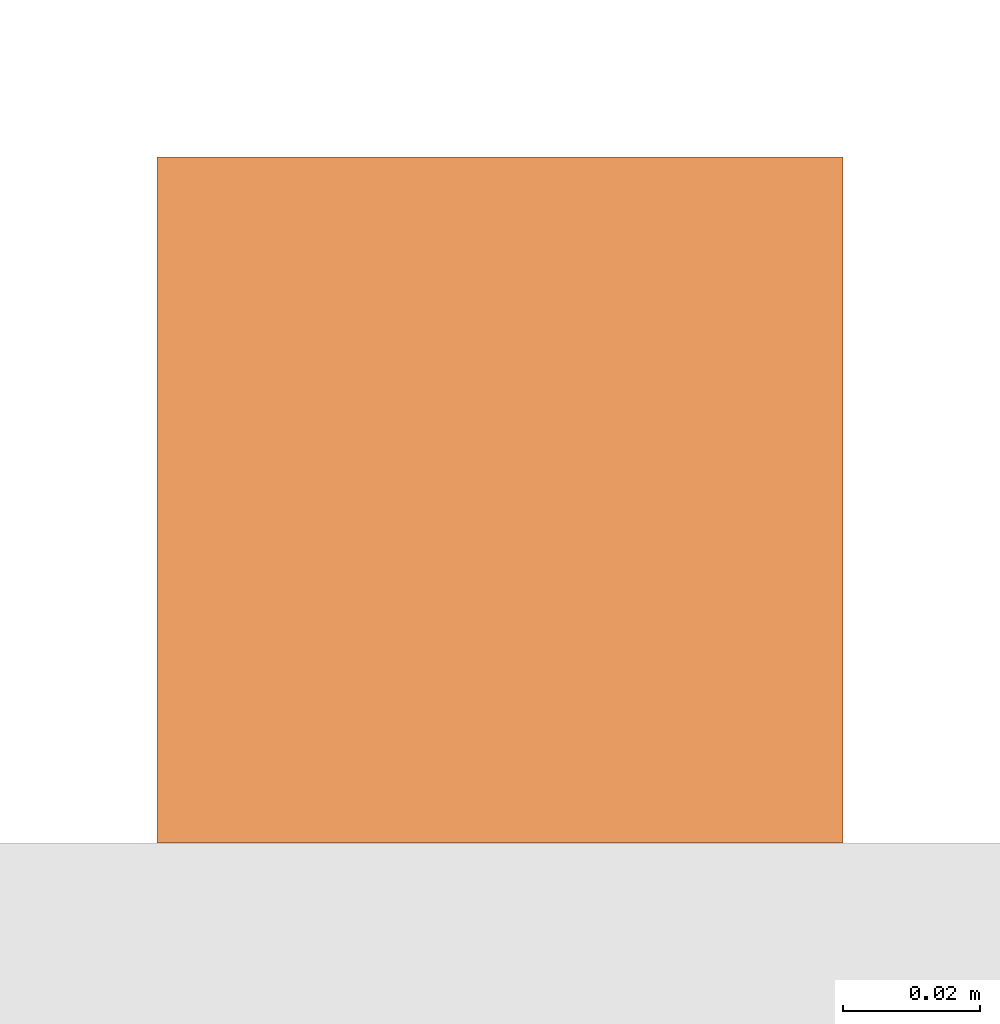
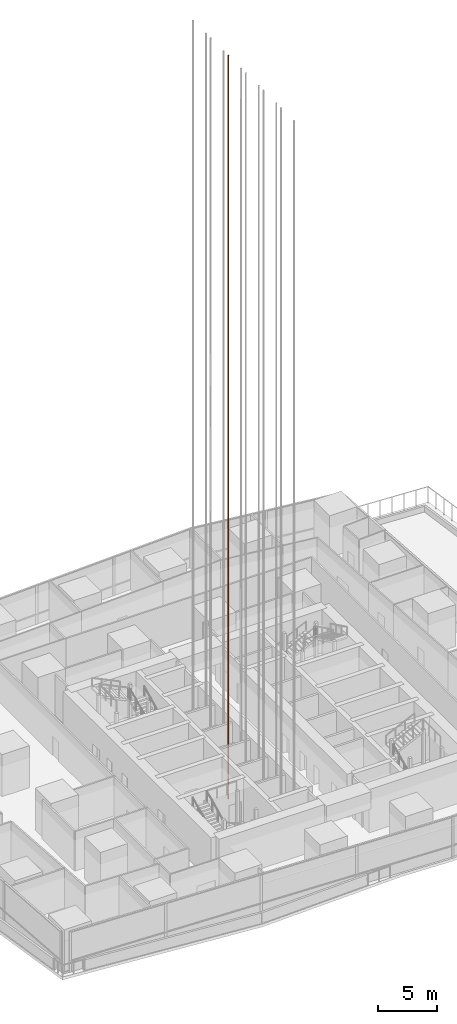
# One storey, part 35 of 39: 1 proxy.
"""IFC4 building model written with IfcOpenShell, lengths in metres."""

from ifc_helpers import new_model, si_unit, direction, frame, origin, origin_2d, place, context, subcontext, project, spatial, rectangle, extrude, material, type_object, element, save


model = new_model("IFC4")

# Units and contexts
model_context = context("Model", 3, precision=1e-05, world=origin(), true_north=direction((0.0, 1.0)))
body_context = subcontext(model_context, "Body", "Model", "MODEL_VIEW")
ifc_project = project(units=[si_unit("LENGTHUNIT", "METRE"), si_unit("AREAUNIT", "SQUARE_METRE"), si_unit("VOLUMEUNIT", "CUBIC_METRE"), si_unit("PLANEANGLEUNIT", "RADIAN"), si_unit("MASSUNIT", "GRAM", prefix="KILO")], contexts=[model_context])

# Site, building, storey
site_placement = place(None, origin())
site = spatial("IfcSite", under=ifc_project, at=site_placement, CompositionType="ELEMENT")
building_placement = place(site_placement, origin())
building = spatial("IfcBuilding", under=site, at=building_placement, Name="Rekha Terrace Tower", CompositionType="ELEMENT")
storey_placement = place(building_placement, frame((0.0, 0.0, 168.199951171875)))
storey = spatial("IfcBuildingStorey", under=building, at=storey_placement, Name="L42", CompositionType="ELEMENT", Elevation=168.199951171875)

# Proxy
ifc_material = material(Name="Steel guide rail", Category="steel")
building_element_proxy_type = type_object("IfcBuildingElementProxyType", Name="LR1 100 lift guide rail", PredefinedType="ELEMENT", material=ifc_material)
proxy_placement = place(storey_placement, frame((34.5, 35.0, -3.2998046875), z_axis=(0.0, 0.0, 1.0), x_axis=(1.0, 0.0, 0.0)))
element("IfcBuildingElementProxy", 1, at=proxy_placement, inside=storey, type_object=building_element_proxy_type, Name="Lift C4 guide rail 2", PredefinedType="ELEMENT", context=body_context, shape_type="SweptSolid", body=[
    extrude(rectangle(XDim=0.10009765625, YDim=0.10009765625, at=origin_2d()), origin(), (0.0, 0.0, 1.0), 77.39990234375),
])

save(model, "model.ifc")
